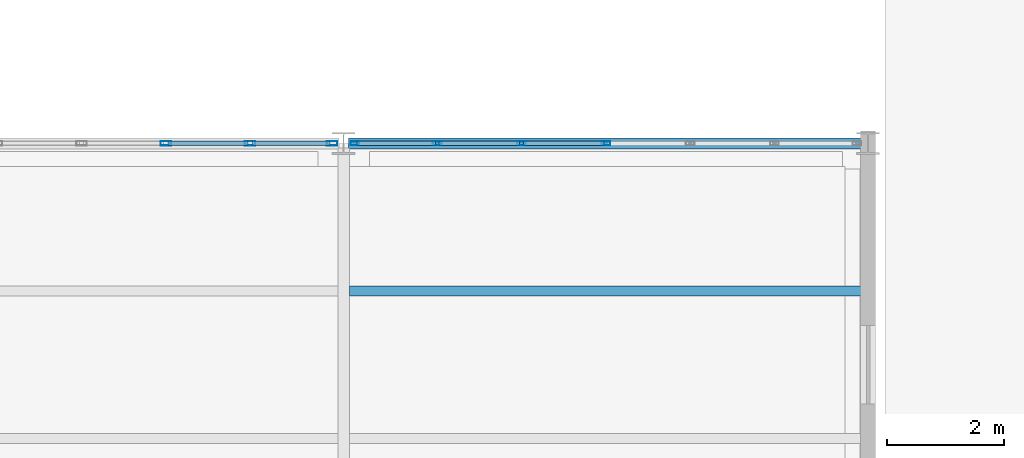
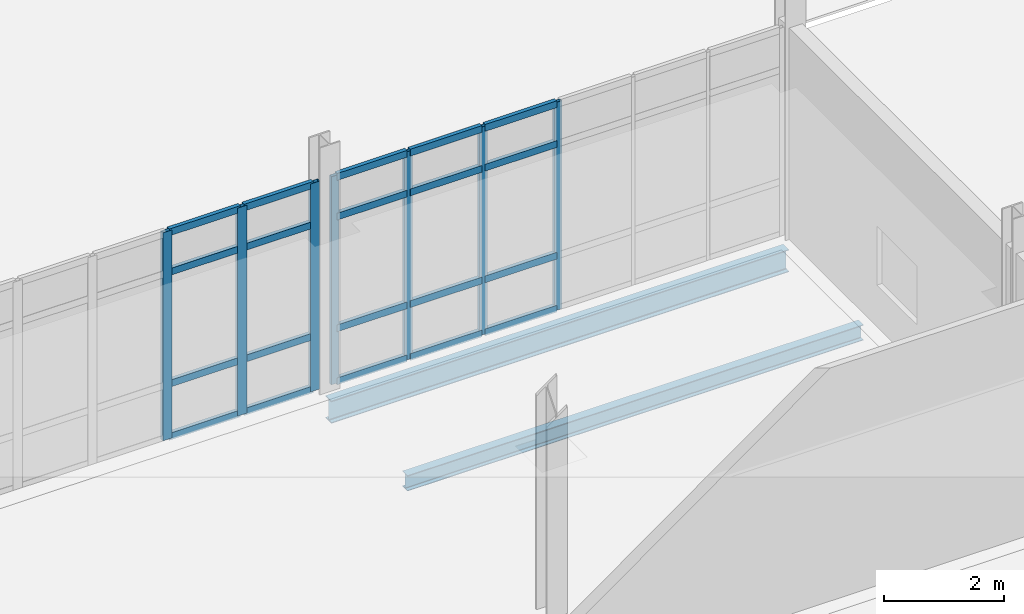
# One storey, part 60 of 161: 27 members, 2 beams, 2 elements without a shape of their own.
"""IFC4 building model written with IfcOpenShell, lengths in metres."""

from ifc_helpers import new_model, si_unit, direction, frame, origin, origin_2d, place, context, subcontext, project, spatial, hollow_rectangle, i_section, extrude, material, material_profile, profile_set, type_object, element, aggregate, save


model = new_model("IFC4")

# Units and contexts
model_context = context("Model", 3, precision=1e-05, world=origin(), true_north=direction((0.0, 1.0)))
body_context = subcontext(model_context, "Body", "Model", "MODEL_VIEW")
ifc_project = project(units=[si_unit("LENGTHUNIT", "METRE"), si_unit("AREAUNIT", "SQUARE_METRE"), si_unit("VOLUMEUNIT", "CUBIC_METRE"), si_unit("PLANEANGLEUNIT", "RADIAN"), si_unit("MASSUNIT", "GRAM", prefix="KILO")], contexts=[model_context])

# Site, building, storey
site_placement = place(None, origin())
site = spatial("IfcSite", under=ifc_project, at=site_placement, CompositionType="ELEMENT")
building_placement = place(site_placement, origin())
building = spatial("IfcBuilding", under=site, at=building_placement, Name="Caisbarro Railhouse Central Library", CompositionType="ELEMENT")
storey_placement = place(building_placement, origin())
storey = spatial("IfcBuildingStorey", under=building, at=storey_placement, Name="L00", CompositionType="ELEMENT", Elevation=0.0)

# Beams
ifc_material_1 = material(Name="Steel ASTM A572 Grade 50", Category="steel")
ifc_material_profile_1 = material_profile(ifc_material_1, i_section(OverallWidth=0.1669921875, OverallDepth=0.31689453125, WebThickness=0.007568359375, FlangeThickness=0.01318359375, FilletRadius=0.011962890625, at=origin_2d()), Name="W310X52.0")
ifc_profile_set_1 = profile_set([ifc_material_profile_1], Name="Steel ASTM A572 Grade 50")
beam_type_1 = type_object("IfcBeamType", Name="BM-J02", PredefinedType="JOIST", material=ifc_profile_set_1)
beam_1_placement = place(storey_placement, frame((99.096923828125, 27.86669921875, -0.4384765625), z_axis=(1.0, 0.0, 0.0), x_axis=(0.0, 1.0, 0.0)))
element("IfcBeam", 1, at=beam_1_placement, inside=storey, type_object=beam_type_1, Name="J02 beam L00 #244", PredefinedType="JOIST", context=body_context, shape_type="SweptSolid", body=[
    extrude(i_section(OverallWidth=0.1669921875, OverallDepth=0.31689453125, WebThickness=0.007568359375, FlangeThickness=0.01318359375, FilletRadius=0.011962890625, at=origin_2d()), origin(), (0.0, 0.0, 1.0), 8.80615234375),
])
ifc_material_profile_2 = material_profile(ifc_material_1, i_section(OverallWidth=0.18994140625, OverallDepth=0.45703125, WebThickness=0.009033203125, FlangeThickness=0.014404296875, FilletRadius=0.01806640625, at=origin_2d()), Name="W460X74.0")
ifc_profile_set_2 = profile_set([ifc_material_profile_2], Name="Steel ASTM A572 Grade 50")
beam_type_2 = type_object("IfcBeamType", Name="BM-SP01", PredefinedType="SPANDREL", material=ifc_profile_set_2)
beam_2_placement = place(storey_placement, frame((99.080078125, 30.39990234375, -0.508544921875), z_axis=(1.0, 0.0, 0.0), x_axis=(0.0, 1.0, 0.0)))
element("IfcBeam", 2, at=beam_2_placement, inside=storey, type_object=beam_type_2, Name="SP01 beam L00 #179", PredefinedType="SPANDREL", context=body_context, shape_type="SweptSolid", body=[
    extrude(i_section(OverallWidth=0.18994140625, OverallDepth=0.45703125, WebThickness=0.009033203125, FlangeThickness=0.014404296875, FilletRadius=0.01806640625, at=origin_2d()), origin(), (0.0, 0.0, 1.0), 8.83984375),
])

# Curtain wall, members
ifc_material_2 = material(Name="Anodised architectural aluminium", Category="aluminium")
curtain_wall_type = type_object("IfcCurtainWallType", Name="CW-CW02", PredefinedType="NOTDEFINED", material=ifc_material_2)
curtain_wall_1_placement = place(storey_placement, origin())
curtain_wall_1 = element("IfcCurtainWall", 3, at=curtain_wall_1_placement, inside=storey, type_object=curtain_wall_type, Name="CW02 curtain wall L00 #52", PredefinedType="NOTDEFINED")
ifc_material_profile_3 = material_profile(ifc_material_2, hollow_rectangle(XDim=0.074951171875, YDim=0.179931640625, WallThickness=0.00439453125, at=origin_2d()), Name="ALU-MUL-75X180")
ifc_profile_set_3 = profile_set([ifc_material_profile_3], Name="Anodised architectural aluminium")
member_type_1 = type_object("IfcMemberType", Name="CWM-M01", PredefinedType="MULLION", material=ifc_profile_set_3)
member_1_placement = place(storey_placement, frame((95.94677734375, 30.39990234375, 0.0), z_axis=(0.0, 0.0, 1.0), x_axis=(0.0, 1.0, 0.0)))
member_1 = element("IfcMember", 4, at=member_1_placement, type_object=member_type_1, Name="CW02 mullion 5", PredefinedType="MULLION", context=body_context, shape_type="SweptSolid", body=[
    extrude(hollow_rectangle(XDim=0.074951171875, YDim=0.179931640625, WallThickness=0.00439453125, at=origin_2d()), origin(), (0.0, 0.0, 1.0), 4.25),
])
member_2_placement = place(storey_placement, frame((97.393310546875, 30.39990234375, 0.0), z_axis=(0.0, 0.0, 1.0), x_axis=(0.0, 1.0, 0.0)))
member_2 = element("IfcMember", 5, at=member_2_placement, type_object=member_type_1, Name="CW02 mullion 6", PredefinedType="MULLION", context=body_context, shape_type="SweptSolid", body=[
    extrude(hollow_rectangle(XDim=0.074951171875, YDim=0.179931640625, WallThickness=0.00439453125, at=origin_2d()), origin(), (0.0, 0.0, 1.0), 4.25),
])
member_3_placement = place(storey_placement, frame((98.802490234375, 30.39990234375, 0.0), z_axis=(0.0, 0.0, 1.0), x_axis=(0.0, 1.0, 0.0)))
member_3 = element("IfcMember", 6, at=member_3_placement, type_object=member_type_1, Name="CW02 mullion 7", PredefinedType="MULLION", context=body_context, shape_type="SweptSolid", body=[
    extrude(hollow_rectangle(XDim=0.074951171875, YDim=0.179931640625, WallThickness=0.00439453125, at=origin_2d()), origin(), (0.0, 0.0, 1.0), 4.25),
])

curtain_wall_2_placement = place(storey_placement, origin())
curtain_wall_2 = element("IfcCurtainWall", 7, at=curtain_wall_2_placement, inside=storey, type_object=curtain_wall_type, Name="CW02 curtain wall L00 #53", PredefinedType="NOTDEFINED")
ifc_material_profile_4 = material_profile(ifc_material_2, hollow_rectangle(XDim=0.06494140625, YDim=0.14990234375, WallThickness=0.00390625, at=origin_2d()), Name="ALU-MUL-65X150")
ifc_profile_set_4 = profile_set([ifc_material_profile_4], Name="Anodised architectural aluminium")
member_type_2 = type_object("IfcMemberType", Name="CWM-M02", PredefinedType="MULLION", material=ifc_profile_set_4)
member_4_placement = place(storey_placement, frame((99.1923828125, 30.39990234375, 0.0), z_axis=(0.0, 0.0, 1.0), x_axis=(0.0, 1.0, 0.0)))
member_4 = element("IfcMember", 8, at=member_4_placement, type_object=member_type_2, Name="CW02 mullion 1", PredefinedType="MULLION", context=body_context, shape_type="SweptSolid", body=[
    extrude(hollow_rectangle(XDim=0.06494140625, YDim=0.14990234375, WallThickness=0.00390625, at=origin_2d()), origin(), (0.0, 0.0, 1.0), 4.25),
])
member_5_placement = place(storey_placement, frame((100.606689453125, 30.39990234375, 0.0), z_axis=(0.0, 0.0, 1.0), x_axis=(0.0, 1.0, 0.0)))
member_5 = element("IfcMember", 9, at=member_5_placement, type_object=member_type_2, Name="CW02 mullion 2", PredefinedType="MULLION", context=body_context, shape_type="SweptSolid", body=[
    extrude(hollow_rectangle(XDim=0.06494140625, YDim=0.14990234375, WallThickness=0.00390625, at=origin_2d()), origin(), (0.0, 0.0, 1.0), 4.25),
])
member_6_placement = place(storey_placement, frame((102.05322265625, 30.39990234375, 0.0), z_axis=(0.0, 0.0, 1.0), x_axis=(0.0, 1.0, 0.0)))
member_6 = element("IfcMember", 10, at=member_6_placement, type_object=member_type_2, Name="CW02 mullion 3", PredefinedType="MULLION", context=body_context, shape_type="SweptSolid", body=[
    extrude(hollow_rectangle(XDim=0.06494140625, YDim=0.14990234375, WallThickness=0.00390625, at=origin_2d()), origin(), (0.0, 0.0, 1.0), 4.25),
])
member_7_placement = place(storey_placement, frame((103.5, 30.39990234375, 0.0), z_axis=(0.0, 0.0, 1.0), x_axis=(0.0, 1.0, 0.0)))
member_7 = element("IfcMember", 11, at=member_7_placement, type_object=member_type_2, Name="CW02 mullion 4", PredefinedType="MULLION", context=body_context, shape_type="SweptSolid", body=[
    extrude(hollow_rectangle(XDim=0.06494140625, YDim=0.14990234375, WallThickness=0.00390625, at=origin_2d()), origin(), (0.0, 0.0, 1.0), 4.25),
])

# Member
ifc_material_profile_5 = material_profile(ifc_material_2, hollow_rectangle(XDim=0.074951171875, YDim=0.139892578125, WallThickness=0.00390625, at=origin_2d()), Name="ALU-TRN-75X140")
ifc_profile_set_5 = profile_set([ifc_material_profile_5], Name="Anodised architectural aluminium")
member_type_3 = type_object("IfcMemberType", Name="CWT-T01", PredefinedType="USERDEFINED", material=ifc_profile_set_5)
member_8_placement = place(storey_placement, frame((95.984130859375, 30.39990234375, 0.03759765625), z_axis=(1.0, 0.0, 0.0), x_axis=(0.0, 1.0, 0.0)))
member_8 = element("IfcMember", 12, at=member_8_placement, type_object=member_type_3, Name="CW02 transom 5.1", ObjectType="TRANSOM", PredefinedType="USERDEFINED", context=body_context, shape_type="SweptSolid", body=[
    extrude(hollow_rectangle(XDim=0.074951171875, YDim=0.139892578125, WallThickness=0.00390625, at=origin_2d()), origin(), (0.0, 0.0, 1.0), 1.37158203125),
])

member_9_placement = place(storey_placement, frame((95.984130859375, 30.39990234375, 1.1201171875), z_axis=(1.0, 0.0, 0.0), x_axis=(0.0, 1.0, 0.0)))
member_9 = element("IfcMember", 13, at=member_9_placement, type_object=member_type_3, Name="CW02 transom 5.2", ObjectType="TRANSOM", PredefinedType="USERDEFINED", context=body_context, shape_type="SweptSolid", body=[
    extrude(hollow_rectangle(XDim=0.074951171875, YDim=0.139892578125, WallThickness=0.00390625, at=origin_2d()), origin(), (0.0, 0.0, 1.0), 1.37158203125),
])

member_10_placement = place(storey_placement, frame((95.984130859375, 30.39990234375, 3.39990234375), z_axis=(1.0, 0.0, 0.0), x_axis=(0.0, 1.0, 0.0)))
member_10 = element("IfcMember", 14, at=member_10_placement, type_object=member_type_3, Name="CW02 transom 5.3", ObjectType="TRANSOM", PredefinedType="USERDEFINED", context=body_context, shape_type="SweptSolid", body=[
    extrude(hollow_rectangle(XDim=0.074951171875, YDim=0.139892578125, WallThickness=0.00390625, at=origin_2d()), origin(), (0.0, 0.0, 1.0), 1.37158203125),
])

member_11_placement = place(storey_placement, frame((95.984130859375, 30.39990234375, 4.21240234375), z_axis=(1.0, 0.0, 0.0), x_axis=(0.0, 1.0, 0.0)))
member_11 = element("IfcMember", 15, at=member_11_placement, type_object=member_type_3, Name="CW02 transom 5.4", ObjectType="TRANSOM", PredefinedType="USERDEFINED", context=body_context, shape_type="SweptSolid", body=[
    extrude(hollow_rectangle(XDim=0.074951171875, YDim=0.139892578125, WallThickness=0.00390625, at=origin_2d()), origin(), (0.0, 0.0, 1.0), 1.37158203125),
])

member_12_placement = place(storey_placement, frame((97.430908203125, 30.39990234375, 0.03759765625), z_axis=(1.0, 0.0, 0.0), x_axis=(0.0, 1.0, 0.0)))
member_12 = element("IfcMember", 16, at=member_12_placement, type_object=member_type_3, Name="CW02 transom 6.1", ObjectType="TRANSOM", PredefinedType="USERDEFINED", context=body_context, shape_type="SweptSolid", body=[
    extrude(hollow_rectangle(XDim=0.074951171875, YDim=0.139892578125, WallThickness=0.00390625, at=origin_2d()), origin(), (0.0, 0.0, 1.0), 1.333984375),
])

member_13_placement = place(storey_placement, frame((97.430908203125, 30.39990234375, 1.1201171875), z_axis=(1.0, 0.0, 0.0), x_axis=(0.0, 1.0, 0.0)))
member_13 = element("IfcMember", 17, at=member_13_placement, type_object=member_type_3, Name="CW02 transom 6.2", ObjectType="TRANSOM", PredefinedType="USERDEFINED", context=body_context, shape_type="SweptSolid", body=[
    extrude(hollow_rectangle(XDim=0.074951171875, YDim=0.139892578125, WallThickness=0.00390625, at=origin_2d()), origin(), (0.0, 0.0, 1.0), 1.333984375),
])

member_14_placement = place(storey_placement, frame((97.430908203125, 30.39990234375, 3.39990234375), z_axis=(1.0, 0.0, 0.0), x_axis=(0.0, 1.0, 0.0)))
member_14 = element("IfcMember", 18, at=member_14_placement, type_object=member_type_3, Name="CW02 transom 6.3", ObjectType="TRANSOM", PredefinedType="USERDEFINED", context=body_context, shape_type="SweptSolid", body=[
    extrude(hollow_rectangle(XDim=0.074951171875, YDim=0.139892578125, WallThickness=0.00390625, at=origin_2d()), origin(), (0.0, 0.0, 1.0), 1.333984375),
])

member_15_placement = place(storey_placement, frame((97.430908203125, 30.39990234375, 4.21240234375), z_axis=(1.0, 0.0, 0.0), x_axis=(0.0, 1.0, 0.0)))
member_15 = element("IfcMember", 19, at=member_15_placement, type_object=member_type_3, Name="CW02 transom 6.4", ObjectType="TRANSOM", PredefinedType="USERDEFINED", context=body_context, shape_type="SweptSolid", body=[
    extrude(hollow_rectangle(XDim=0.074951171875, YDim=0.139892578125, WallThickness=0.00390625, at=origin_2d()), origin(), (0.0, 0.0, 1.0), 1.333984375),
])

aggregate(curtain_wall_1, [member_1, member_2, member_3, member_8, member_9, member_10, member_11, member_12, member_13, member_14, member_15])

member_16_placement = place(storey_placement, frame((99.22509765625, 30.39990234375, 0.03759765625), z_axis=(1.0, 0.0, 0.0), x_axis=(0.0, 1.0, 0.0)))
member_16 = element("IfcMember", 20, at=member_16_placement, type_object=member_type_3, Name="CW02 transom 1.1", ObjectType="TRANSOM", PredefinedType="USERDEFINED", context=body_context, shape_type="SweptSolid", body=[
    extrude(hollow_rectangle(XDim=0.074951171875, YDim=0.139892578125, WallThickness=0.00390625, at=origin_2d()), origin(), (0.0, 0.0, 1.0), 1.34912109375),
])

member_17_placement = place(storey_placement, frame((99.22509765625, 30.39990234375, 1.1201171875), z_axis=(1.0, 0.0, 0.0), x_axis=(0.0, 1.0, 0.0)))
member_17 = element("IfcMember", 21, at=member_17_placement, type_object=member_type_3, Name="CW02 transom 1.2", ObjectType="TRANSOM", PredefinedType="USERDEFINED", context=body_context, shape_type="SweptSolid", body=[
    extrude(hollow_rectangle(XDim=0.074951171875, YDim=0.139892578125, WallThickness=0.00390625, at=origin_2d()), origin(), (0.0, 0.0, 1.0), 1.34912109375),
])

member_18_placement = place(storey_placement, frame((99.22509765625, 30.39990234375, 3.39990234375), z_axis=(1.0, 0.0, 0.0), x_axis=(0.0, 1.0, 0.0)))
member_18 = element("IfcMember", 22, at=member_18_placement, type_object=member_type_3, Name="CW02 transom 1.3", ObjectType="TRANSOM", PredefinedType="USERDEFINED", context=body_context, shape_type="SweptSolid", body=[
    extrude(hollow_rectangle(XDim=0.074951171875, YDim=0.139892578125, WallThickness=0.00390625, at=origin_2d()), origin(), (0.0, 0.0, 1.0), 1.34912109375),
])

member_19_placement = place(storey_placement, frame((99.22509765625, 30.39990234375, 4.21240234375), z_axis=(1.0, 0.0, 0.0), x_axis=(0.0, 1.0, 0.0)))
member_19 = element("IfcMember", 23, at=member_19_placement, type_object=member_type_3, Name="CW02 transom 1.4", ObjectType="TRANSOM", PredefinedType="USERDEFINED", context=body_context, shape_type="SweptSolid", body=[
    extrude(hollow_rectangle(XDim=0.074951171875, YDim=0.139892578125, WallThickness=0.00390625, at=origin_2d()), origin(), (0.0, 0.0, 1.0), 1.34912109375),
])

member_20_placement = place(storey_placement, frame((100.63916015625, 30.39990234375, 0.03759765625), z_axis=(1.0, 0.0, 0.0), x_axis=(0.0, 1.0, 0.0)))
member_20 = element("IfcMember", 24, at=member_20_placement, type_object=member_type_3, Name="CW02 transom 2.1", ObjectType="TRANSOM", PredefinedType="USERDEFINED", context=body_context, shape_type="SweptSolid", body=[
    extrude(hollow_rectangle(XDim=0.074951171875, YDim=0.139892578125, WallThickness=0.00390625, at=origin_2d()), origin(), (0.0, 0.0, 1.0), 1.381591796875),
])

member_21_placement = place(storey_placement, frame((100.63916015625, 30.39990234375, 1.1201171875), z_axis=(1.0, 0.0, 0.0), x_axis=(0.0, 1.0, 0.0)))
member_21 = element("IfcMember", 25, at=member_21_placement, type_object=member_type_3, Name="CW02 transom 2.2", ObjectType="TRANSOM", PredefinedType="USERDEFINED", context=body_context, shape_type="SweptSolid", body=[
    extrude(hollow_rectangle(XDim=0.074951171875, YDim=0.139892578125, WallThickness=0.00390625, at=origin_2d()), origin(), (0.0, 0.0, 1.0), 1.381591796875),
])

member_22_placement = place(storey_placement, frame((100.63916015625, 30.39990234375, 3.39990234375), z_axis=(1.0, 0.0, 0.0), x_axis=(0.0, 1.0, 0.0)))
member_22 = element("IfcMember", 26, at=member_22_placement, type_object=member_type_3, Name="CW02 transom 2.3", ObjectType="TRANSOM", PredefinedType="USERDEFINED", context=body_context, shape_type="SweptSolid", body=[
    extrude(hollow_rectangle(XDim=0.074951171875, YDim=0.139892578125, WallThickness=0.00390625, at=origin_2d()), origin(), (0.0, 0.0, 1.0), 1.381591796875),
])

member_23_placement = place(storey_placement, frame((100.63916015625, 30.39990234375, 4.21240234375), z_axis=(1.0, 0.0, 0.0), x_axis=(0.0, 1.0, 0.0)))
member_23 = element("IfcMember", 27, at=member_23_placement, type_object=member_type_3, Name="CW02 transom 2.4", ObjectType="TRANSOM", PredefinedType="USERDEFINED", context=body_context, shape_type="SweptSolid", body=[
    extrude(hollow_rectangle(XDim=0.074951171875, YDim=0.139892578125, WallThickness=0.00390625, at=origin_2d()), origin(), (0.0, 0.0, 1.0), 1.381591796875),
])

member_24_placement = place(storey_placement, frame((102.0859375, 30.39990234375, 0.03759765625), z_axis=(1.0, 0.0, 0.0), x_axis=(0.0, 1.0, 0.0)))
member_24 = element("IfcMember", 28, at=member_24_placement, type_object=member_type_3, Name="CW02 transom 3.1", ObjectType="TRANSOM", PredefinedType="USERDEFINED", context=body_context, shape_type="SweptSolid", body=[
    extrude(hollow_rectangle(XDim=0.074951171875, YDim=0.139892578125, WallThickness=0.00390625, at=origin_2d()), origin(), (0.0, 0.0, 1.0), 1.381591796875),
])

member_25_placement = place(storey_placement, frame((102.0859375, 30.39990234375, 1.1201171875), z_axis=(1.0, 0.0, 0.0), x_axis=(0.0, 1.0, 0.0)))
member_25 = element("IfcMember", 29, at=member_25_placement, type_object=member_type_3, Name="CW02 transom 3.2", ObjectType="TRANSOM", PredefinedType="USERDEFINED", context=body_context, shape_type="SweptSolid", body=[
    extrude(hollow_rectangle(XDim=0.074951171875, YDim=0.139892578125, WallThickness=0.00390625, at=origin_2d()), origin(), (0.0, 0.0, 1.0), 1.381591796875),
])

member_26_placement = place(storey_placement, frame((102.0859375, 30.39990234375, 3.39990234375), z_axis=(1.0, 0.0, 0.0), x_axis=(0.0, 1.0, 0.0)))
member_26 = element("IfcMember", 30, at=member_26_placement, type_object=member_type_3, Name="CW02 transom 3.3", ObjectType="TRANSOM", PredefinedType="USERDEFINED", context=body_context, shape_type="SweptSolid", body=[
    extrude(hollow_rectangle(XDim=0.074951171875, YDim=0.139892578125, WallThickness=0.00390625, at=origin_2d()), origin(), (0.0, 0.0, 1.0), 1.381591796875),
])

member_27_placement = place(storey_placement, frame((102.0859375, 30.39990234375, 4.21240234375), z_axis=(1.0, 0.0, 0.0), x_axis=(0.0, 1.0, 0.0)))
member_27 = element("IfcMember", 31, at=member_27_placement, type_object=member_type_3, Name="CW02 transom 3.4", ObjectType="TRANSOM", PredefinedType="USERDEFINED", context=body_context, shape_type="SweptSolid", body=[
    extrude(hollow_rectangle(XDim=0.074951171875, YDim=0.139892578125, WallThickness=0.00390625, at=origin_2d()), origin(), (0.0, 0.0, 1.0), 1.381591796875),
])

aggregate(curtain_wall_2, [member_4, member_5, member_6, member_7, member_16, member_17, member_18, member_19, member_20, member_21, member_22, member_23, member_24, member_25, member_26, member_27])

save(model, "model.ifc")
